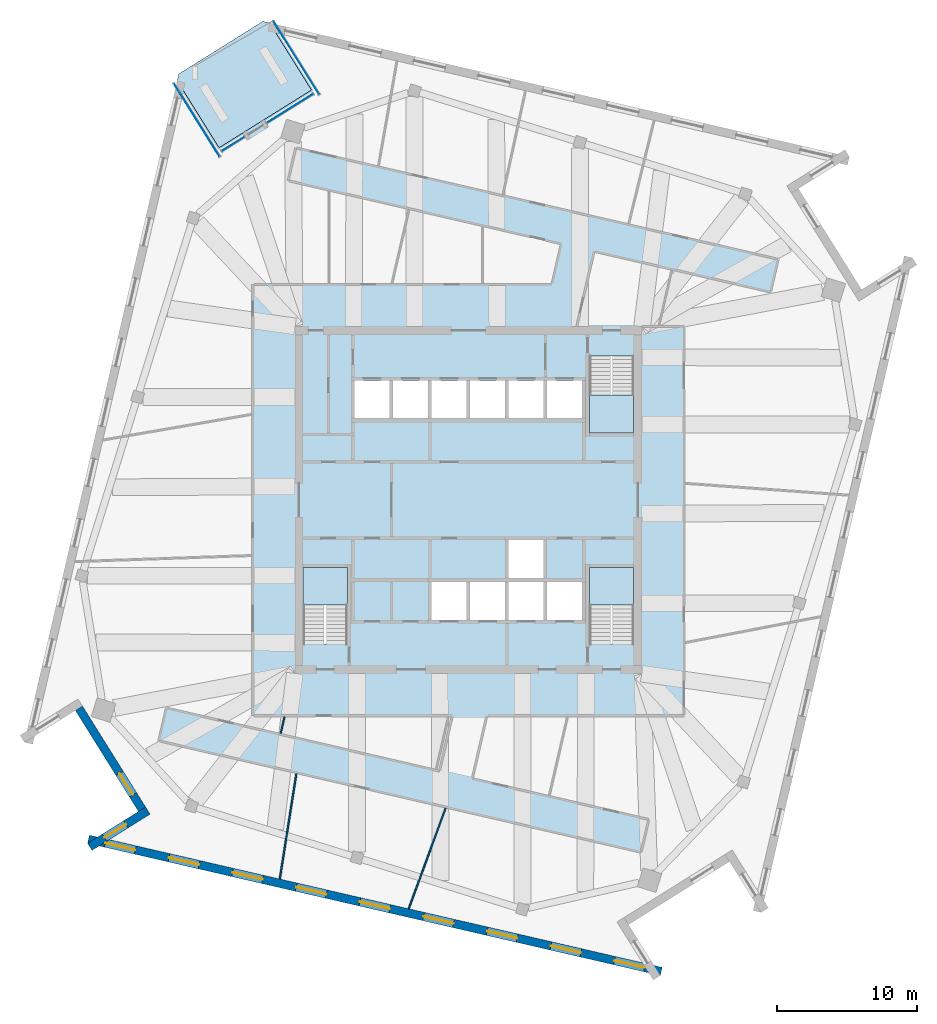
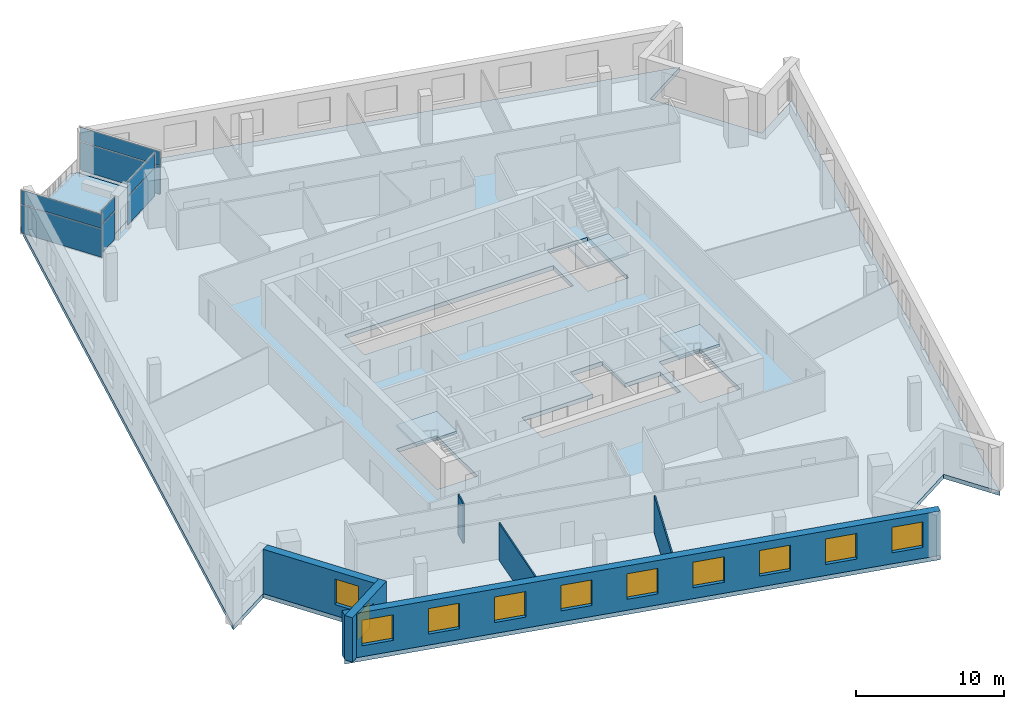
# One storey, part 5 of 14: 11 windows, 8 plates, 6 walls, 5 slabs, 11 openings, 7 elements without a shape of their own.
"""IFC4 building model written with IfcOpenShell, lengths in metres."""

from ifc_helpers import new_model, si_unit, direction, frame, frame_2d, origin, origin_2d, place, context, subcontext, project, spatial, polyline, rectangle, outline, extrude, material, layer, layer_set, type_object, element, fill, aggregate, save


model = new_model("IFC4")

# Units and contexts
model_context = context("Model", 3, precision=1e-05, world=origin(), true_north=direction((0.0, 1.0)))
body_context = subcontext(model_context, "Body", "Model", "MODEL_VIEW")
ifc_project = project(units=[si_unit("LENGTHUNIT", "METRE"), si_unit("AREAUNIT", "SQUARE_METRE"), si_unit("VOLUMEUNIT", "CUBIC_METRE"), si_unit("PLANEANGLEUNIT", "RADIAN"), si_unit("MASSUNIT", "GRAM", prefix="KILO")], contexts=[model_context])

# Site, building, storey
site_placement = place(None, origin())
site = spatial("IfcSite", under=ifc_project, at=site_placement, CompositionType="ELEMENT")
building_placement = place(site_placement, origin())
building = spatial("IfcBuilding", under=site, at=building_placement, Name="Dilmun Exchange Tower", CompositionType="ELEMENT")
storey_placement = place(building_placement, frame((0.0, 0.0, 340.5)))
storey = spatial("IfcBuildingStorey", under=building, at=storey_placement, Name="L81", CompositionType="ELEMENT", Elevation=340.5)

# Stair, slab
ifc_material_1 = material(Name="Concrete C40/50", Category="concrete")
stair_type = type_object("IfcStairType", Name="Exit stair 1500 half-turn", PredefinedType="HALF_TURN_STAIR", material=ifc_material_1)
stair_1_placement = place(storey_placement, origin())
stair_1 = element("IfcStair", 1, at=stair_1_placement, inside=storey, type_object=stair_type, Name="L81 Protected exit stair ST1", PredefinedType="HALF_TURN_STAIR")
ifc_layer_1 = layer(ifc_material_1, 0.199951171875)
ifc_layer_set_1 = layer_set([ifc_layer_1], Name="Concrete C40/50")
slab_type_1 = type_object("IfcSlabType", Name="Exit stair landing 200", PredefinedType="LANDING", material=ifc_layer_set_1)
slab_1_placement = place(storey_placement, frame((0.0, 0.0, 1.800048828125)))
slab_1 = element("IfcSlab", 2, at=slab_1_placement, type_object=slab_type_1, Name="ST1 landing 1", PredefinedType="LANDING", context=body_context, shape_type="SweptSolid", body=[
    extrude(outline(polyline([(8.64990234375, 7.5), (8.64990234375, 4.800048828125), (11.800048828125, 4.800048828125), (11.800048828125, 7.5), (8.64990234375, 7.5)])), origin(), (0.0, 0.0, 1.0), 0.199951171875),
])
aggregate(stair_1, [slab_1])

stair_2_placement = place(storey_placement, origin())
stair_2 = element("IfcStair", 3, at=stair_2_placement, inside=storey, type_object=stair_type, Name="L81 Protected exit stair ST2", PredefinedType="HALF_TURN_STAIR")
slab_2_placement = place(storey_placement, frame((0.0, 0.0, 1.800048828125)))
slab_2 = element("IfcSlab", 4, at=slab_2_placement, type_object=slab_type_1, Name="ST2 landing 1", PredefinedType="LANDING", context=body_context, shape_type="SweptSolid", body=[
    extrude(outline(polyline([(-8.64990234375, -7.5), (-8.64990234375, -4.800048828125), (-11.800048828125, -4.800048828125), (-11.800048828125, -7.5), (-8.64990234375, -7.5)])), origin(), (0.0, 0.0, 1.0), 0.199951171875),
])
aggregate(stair_2, [slab_2])

stair_3_placement = place(storey_placement, origin())
stair_3 = element("IfcStair", 5, at=stair_3_placement, inside=storey, type_object=stair_type, Name="L81 Protected exit stair ST3", PredefinedType="HALF_TURN_STAIR")
slab_3_placement = place(storey_placement, frame((0.0, 0.0, 1.800048828125)))
slab_3 = element("IfcSlab", 6, at=slab_3_placement, type_object=slab_type_1, Name="ST3 landing 1", PredefinedType="LANDING", context=body_context, shape_type="SweptSolid", body=[
    extrude(outline(polyline([(11.800048828125, -7.5), (11.800048828125, -4.800048828125), (8.64990234375, -4.800048828125), (8.64990234375, -7.5), (11.800048828125, -7.5)])), origin(), (0.0, 0.0, 1.0), 0.199951171875),
])
aggregate(stair_3, [slab_3])

# Curtain wall, plates
ifc_material_2 = material(Name="Anodised aluminium and clear glass", Category="aluminium")
curtain_wall_type = type_object("IfcCurtainWallType", Name="Garden corner glazing", PredefinedType="NOTDEFINED", material=ifc_material_2)
curtain_wall_1_placement = place(storey_placement, origin())
curtain_wall_1 = element("IfcCurtainWall", 7, at=curtain_wall_1_placement, inside=storey, type_object=curtain_wall_type, Name="Garden corner glazing run GC1.1", PredefinedType="NOTDEFINED")
ifc_material_3 = material(Name="Clear glass", Category="glass")
ifc_layer_2 = layer(ifc_material_3, 0.028076171875)
ifc_layer_set_2 = layer_set([ifc_layer_2], Name="Clear glass")
plate_type = type_object("IfcPlateType", Name="Garden corner glazing glass panel 28", PredefinedType="CURTAIN_PANEL", material=ifc_layer_set_2)
plate_1_placement = place(storey_placement, frame((-12.291015625, 31.577880859375, 0.06005859375), z_axis=(0.0, 0.0, 1.0), x_axis=(0.529916913426, -0.8480495651, 0.0)))
plate_1 = element("IfcPlate", 8, at=plate_1_placement, type_object=plate_type, Name="GC1.1 panel 1.1", PredefinedType="CURTAIN_PANEL", context=body_context, shape_type="SweptSolid", body=[
    extrude(rectangle(XDim=6.12646484375, YDim=0.028076171875, at=origin_2d()), origin(), (0.0, 0.0, 1.0), 2.31005859375),
])
plate_2_placement = place(storey_placement, frame((-12.291015625, 31.577880859375, 2.43017578125), z_axis=(0.0, 0.0, 1.0), x_axis=(0.529916913426, -0.8480495651, 0.0)))
plate_2 = element("IfcPlate", 9, at=plate_2_placement, type_object=plate_type, Name="GC1.1 panel 1.2", PredefinedType="CURTAIN_PANEL", context=body_context, shape_type="SweptSolid", body=[
    extrude(rectangle(XDim=6.12646484375, YDim=0.028076171875, at=origin_2d()), origin(), (0.0, 0.0, 1.0), 1.159912109375),
])
aggregate(curtain_wall_1, [plate_1, plate_2])

curtain_wall_2_placement = place(storey_placement, origin())
curtain_wall_2 = element("IfcCurtainWall", 10, at=curtain_wall_2_placement, inside=storey, type_object=curtain_wall_type, Name="Garden corner glazing run GC2.1", PredefinedType="NOTDEFINED")
plate_3_placement = place(storey_placement, frame((-12.74072265625, 27.9677734375, 0.06005859375), z_axis=(0.0, 0.0, 1.0), x_axis=(-0.848044776187, -0.529924577258, 0.0)))
plate_3 = element("IfcPlate", 11, at=plate_3_placement, type_object=plate_type, Name="GC2.1 panel 1.1", PredefinedType="CURTAIN_PANEL", context=body_context, shape_type="SweptSolid", body=[
    extrude(rectangle(XDim=3.869140625, YDim=0.028076171875, at=origin_2d()), origin(), (0.0, 0.0, 1.0), 2.31005859375),
])
plate_4_placement = place(storey_placement, frame((-12.74072265625, 27.9677734375, 2.43017578125), z_axis=(0.0, 0.0, 1.0), x_axis=(-0.848044776187, -0.529924577258, 0.0)))
plate_4 = element("IfcPlate", 12, at=plate_4_placement, type_object=plate_type, Name="GC2.1 panel 1.2", PredefinedType="CURTAIN_PANEL", context=body_context, shape_type="SweptSolid", body=[
    extrude(rectangle(XDim=3.869140625, YDim=0.028076171875, at=origin_2d()), origin(), (0.0, 0.0, 1.0), 1.159912109375),
])
aggregate(curtain_wall_2, [plate_3, plate_4])

curtain_wall_3_placement = place(storey_placement, origin())
curtain_wall_3 = element("IfcCurtainWall", 13, at=curtain_wall_3_placement, inside=storey, type_object=curtain_wall_type, Name="Garden corner glazing run GC2.3", PredefinedType="NOTDEFINED")
plate_5_placement = place(storey_placement, frame((-16.80224609375, 25.429931640625, 0.06005859375), z_axis=(0.0, 0.0, 1.0), x_axis=(-0.848068905763, -0.529885960447, 0.0)))
plate_5 = element("IfcPlate", 14, at=plate_5_placement, type_object=plate_type, Name="GC2.3 panel 1.1", PredefinedType="CURTAIN_PANEL", context=body_context, shape_type="SweptSolid", body=[
    extrude(rectangle(XDim=1.869140625, YDim=0.028076171875, at=origin_2d()), origin(), (0.0, 0.0, 1.0), 2.31005859375),
])
plate_6_placement = place(storey_placement, frame((-16.80224609375, 25.429931640625, 2.43017578125), z_axis=(0.0, 0.0, 1.0), x_axis=(-0.848068905763, -0.529885960447, 0.0)))
plate_6 = element("IfcPlate", 15, at=plate_6_placement, type_object=plate_type, Name="GC2.3 panel 1.2", PredefinedType="CURTAIN_PANEL", context=body_context, shape_type="SweptSolid", body=[
    extrude(rectangle(XDim=1.869140625, YDim=0.028076171875, at=origin_2d()), origin(), (0.0, 0.0, 1.0), 1.159912109375),
])
aggregate(curtain_wall_3, [plate_5, plate_6])

curtain_wall_4_placement = place(storey_placement, origin())
curtain_wall_4 = element("IfcCurtainWall", 16, at=curtain_wall_4_placement, inside=storey, type_object=curtain_wall_type, Name="Garden corner glazing run GC3.1", PredefinedType="NOTDEFINED")
plate_7_placement = place(storey_placement, frame((-19.39599609375, 27.13818359375, 0.06005859375), z_axis=(0.0, 0.0, 1.0), x_axis=(-0.529916913426, 0.8480495651, 0.0)))
plate_7 = element("IfcPlate", 17, at=plate_7_placement, type_object=plate_type, Name="GC3.1 panel 1.1", PredefinedType="CURTAIN_PANEL", context=body_context, shape_type="SweptSolid", body=[
    extrude(rectangle(XDim=6.12646484375, YDim=0.028076171875, at=origin_2d()), origin(), (0.0, 0.0, 1.0), 2.31005859375),
])
plate_8_placement = place(storey_placement, frame((-19.39599609375, 27.13818359375, 2.43017578125), z_axis=(0.0, 0.0, 1.0), x_axis=(-0.529916913426, 0.8480495651, 0.0)))
plate_8 = element("IfcPlate", 18, at=plate_8_placement, type_object=plate_type, Name="GC3.1 panel 1.2", PredefinedType="CURTAIN_PANEL", context=body_context, shape_type="SweptSolid", body=[
    extrude(rectangle(XDim=6.12646484375, YDim=0.028076171875, at=origin_2d()), origin(), (0.0, 0.0, 1.0), 1.159912109375),
])
aggregate(curtain_wall_4, [plate_7, plate_8])

# Slabs
ifc_layer_3 = layer(ifc_material_1, 0.35009765625)
ifc_layer_set_3 = layer_set([ifc_layer_3], Name="Concrete C40/50")
slab_type_2 = type_object("IfcSlabType", Name="RC floor slab 350", PredefinedType="FLOOR", material=ifc_layer_set_3)
slab_4_placement = place(storey_placement, frame((0.0, 0.0, -0.35009765625)))
element("IfcSlab", 19, at=slab_4_placement, inside=storey, type_object=slab_type_2, Name="Floor slab", PredefinedType="FLOOR", context=body_context, shape_type="SweptSolid", body=[
    extrude(outline(polyline([(23.56591796875, 22.238525390625), (28.070068359375, 15.030029296875), (31.70458984375, 17.301025390625), (20.91162109375, -29.448486328125), (18.640380859375, -25.814208984375), (11.43212890625, -30.318359375), (13.703125, -33.95263671875), (-27.2001953125, -24.509521484375), (-23.56591796875, -22.238525390625), (-28.070068359375, -15.030029296875), (-31.70458984375, -17.301025390625), (-20.796630859375, 29.94580078125), (-17.804443359375, 25.1572265625), (-11.208251953125, 29.279052734375), (-14.200439453125, 34.0673828125), (27.2001953125, 24.509521484375), (23.56591796875, 22.238525390625)]), holes=[polyline([(-8.64990234375, -4.800048828125), (-11.800048828125, -4.800048828125), (-11.800048828125, -10.294921875), (-8.64990234375, -10.294921875), (-8.64990234375, -4.800048828125)]), polyline([(11.800048828125, -4.800048828125), (8.64990234375, -4.800048828125), (8.64990234375, -10.294921875), (11.800048828125, -10.294921875), (11.800048828125, -4.800048828125)]), polyline([(2.875, -5.85009765625), (-2.625, -5.85009765625), (-2.625, -8.550048828125), (8.125, -8.550048828125), (8.125, -5.85009765625), (5.375, -5.85009765625), (5.375, -2.85009765625), (2.875, -2.85009765625), (2.875, -5.85009765625)]), polyline([(8.125, 5.85009765625), (8.125, 8.550048828125), (-8.125, 8.550048828125), (-8.125, 5.85009765625), (8.125, 5.85009765625)]), polyline([(8.64990234375, 10.294921875), (8.64990234375, 4.800048828125), (11.800048828125, 4.800048828125), (11.800048828125, 10.294921875), (8.64990234375, 10.294921875)])]), origin(), (0.0, 0.0, 1.0), 0.35009765625),
])
ifc_layer_4 = layer(ifc_material_1, 0.300048828125)
ifc_layer_set_4 = layer_set([ifc_layer_4], Name="Concrete C40/50")
slab_type_3 = type_object("IfcSlabType", Name="RC garden terrace slab 300", PredefinedType="FLOOR", material=ifc_layer_set_4)
slab_5_placement = place(storey_placement, frame((0.0, 0.0, -0.300048828125)))
element("IfcSlab", 20, at=slab_5_placement, inside=storey, type_object=slab_type_3, Name="Garden terrace slab", PredefinedType="FLOOR", context=body_context, shape_type="SweptSolid", body=[
    extrude(outline(polyline([(-17.804443359375, 25.1572265625), (-20.796630859375, 29.94580078125), (-20.68408203125, 30.432861328125), (-14.6875, 34.179931640625), (-14.200439453125, 34.0673828125), (-11.208251953125, 29.279052734375), (-17.804443359375, 25.1572265625)])), origin(), (0.0, 0.0, 1.0), 0.300048828125),
])

# Walls
ifc_material_4 = material(Name="Partition 100")
ifc_layer_5 = layer(ifc_material_4, 0.10009765625)
ifc_layer_set_5 = layer_set([ifc_layer_5], Name="Partition 100")
wall_type_1 = type_object("IfcWallType", Name="Partition 100", PredefinedType="PARTITIONING", material=ifc_layer_set_5)
wall_1_placement = place(storey_placement, frame((-13.47119140625, -27.061279296875, 0.0), z_axis=(0.0, 0.0, 1.0), x_axis=(0.155249458532, 0.987875298621, 0.0)))
element("IfcWall", 21, at=wall_1_placement, inside=storey, type_object=wall_type_1, Name="Partition", PredefinedType="PARTITIONING", context=body_context, shape_type="SweptSolid", body=[
    extrude(rectangle(XDim=7.61279296875, YDim=0.10009765625, at=frame_2d((3.806396484375, 0.0))), origin(), (0.0, 0.0, 1.0), 3.050048828125),
])
wall_2_placement = place(storey_placement, frame((-13.408203125, -16.661865234375, 0.0), z_axis=(0.0, 0.0, 1.0), x_axis=(0.22478562249, 0.974408242946, 0.0)))
element("IfcWall", 22, at=wall_2_placement, inside=storey, type_object=wall_type_1, Name="Partition", PredefinedType="PARTITIONING", context=body_context, shape_type="SweptSolid", body=[
    extrude(rectangle(XDim=1.20654296875, YDim=0.10009765625, at=frame_2d((0.603271484375, 0.0))), origin(), (0.0, 0.0, 1.0), 3.25),
])
wall_3_placement = place(storey_placement, frame((-4.267822265625, -29.18603515625, 0.0), z_axis=(0.0, 0.0, 1.0), x_axis=(0.345023473148, 0.938594056543, 0.0)))
element("IfcWall", 23, at=wall_3_placement, inside=storey, type_object=wall_type_1, Name="Partition", PredefinedType="PARTITIONING", context=body_context, shape_type="SweptSolid", body=[
    extrude(rectangle(XDim=7.64990234375, YDim=0.10009765625, at=frame_2d((3.824951171875, 0.0))), origin(), (0.0, 0.0, 1.0), 3.050048828125),
])

# Wall, opening, window
ifc_material_5 = material(Name="Precast concrete C50/60", Category="concrete")
ifc_layer_6 = layer(ifc_material_5, 0.60009765625)
ifc_layer_set_6 = layer_set([ifc_layer_6], Name="Precast concrete C50/60")
wall_type_2 = type_object("IfcWallType", Name="Precast stone-clad wall 600", PredefinedType="STANDARD", material=ifc_layer_set_6)
wall_4_placement = place(storey_placement, frame((-27.815673828125, -14.87109375, 0.0), z_axis=(0.0, 0.0, 1.0), x_axis=(0.529921485123, -0.848046708387, 0.0)))
wall_4 = element("IfcWall", 24, at=wall_4_placement, inside=storey, type_object=wall_type_2, Name="Facade wall L81-05", PredefinedType="STANDARD", context=body_context, shape_type="SweptSolid", body=[
    extrude(rectangle(XDim=8.5, YDim=0.60009765625, at=frame_2d((4.25, 0.0))), origin(), (0.0, 0.0, 1.0), 3.64990234375),
])
opening_1_placement = place(wall_4_placement, frame((5.47509765625, 0.0, 0.89990234375)))
opening_1 = element("IfcOpeningElement", 25, at=opening_1_placement, cuts=wall_4, Name="Opening W180-210", PredefinedType="OPENING", context=body_context, shape_type="SweptSolid", body=[
    extrude(rectangle(XDim=1.800048828125, YDim=2.10009765625, at=frame_2d((0.89990234375, 1.050048828125))), frame((0.0, 0.31005859375, 0.0), z_axis=(0.0, -1.0, 0.0), x_axis=(1.0, 0.0, 0.0)), (0.0, 0.0, 1.0), 0.6201171875),
])
ifc_material_6 = material(Name="Clear low-emissivity glass in aluminium frame", Category="aluminium")
window_type_1 = type_object("IfcWindowType", Name="Punched window 1800 x 2100", PartitioningType="DOUBLE_PANEL_VERTICAL", PredefinedType="WINDOW", material=ifc_material_6)
window_1_placement = place(opening_1_placement, origin())
window_1 = element("IfcWindow", 26, at=window_1_placement, inside=storey, type_object=window_type_1, Name="Window 6.2", OverallHeight=2.10009765625, OverallWidth=1.800048828125, PartitioningType="SINGLE_PANEL", PredefinedType="WINDOW", context=body_context, shape_type="SweptSolid", body=[
    extrude(rectangle(XDim=1.800048828125, YDim=2.10009765625, at=frame_2d((0.89990234375, 1.050048828125))), frame((0.0, 0.030029296875, 0.0), z_axis=(0.0, -1.0, 0.0), x_axis=(1.0, 0.0, 0.0)), (0.0, 0.0, 1.0), 0.06005859375),
])
fill(opening_1, window_1)

wall_5_placement = place(storey_placement, frame((-22.89794921875, -22.1748046875, 0.0), z_axis=(0.0, 0.0, 1.0), x_axis=(-0.848040410856, -0.529931563086, 0.0)))
wall_5 = element("IfcWall", 27, at=wall_5_placement, inside=storey, type_object=wall_type_2, Name="Facade wall L81-06", PredefinedType="STANDARD", context=body_context, shape_type="SweptSolid", body=[
    extrude(rectangle(XDim=4.8857421875, YDim=0.60009765625, at=frame_2d((2.44287109375, 0.0))), origin(), (0.0, 0.0, 1.0), 3.64990234375),
])
opening_2_placement = place(wall_5_placement, frame((1.8427734375, 0.0, 0.89990234375)))
opening_2 = element("IfcOpeningElement", 28, at=opening_2_placement, cuts=wall_5, Name="Opening W180-210", PredefinedType="OPENING", context=body_context, shape_type="SweptSolid", body=[
    extrude(rectangle(XDim=1.800048828125, YDim=2.10009765625, at=frame_2d((0.89990234375, 1.050048828125))), frame((0.0, 0.31005859375, 0.0), z_axis=(0.0, -1.0, 0.0), x_axis=(1.0, 0.0, 0.0)), (0.0, 0.0, 1.0), 0.6201171875),
])
window_2_placement = place(opening_2_placement, origin())
window_2 = element("IfcWindow", 29, at=window_2_placement, inside=storey, type_object=window_type_1, Name="Window 7.1", OverallHeight=2.10009765625, OverallWidth=1.800048828125, PartitioningType="SINGLE_PANEL", PredefinedType="WINDOW", context=body_context, shape_type="SweptSolid", body=[
    extrude(rectangle(XDim=1.800048828125, YDim=2.10009765625, at=frame_2d((0.89990234375, 1.050048828125))), frame((0.0, 0.030029296875, 0.0), z_axis=(0.0, -1.0, 0.0), x_axis=(1.0, 0.0, 0.0)), (0.0, 0.0, 1.0), 0.06005859375),
])
fill(opening_2, window_2)

# Wall, openings, windows
wall_6_placement = place(storey_placement, frame((-27.1328125, -24.21728515625, 0.0), z_axis=(0.0, 0.0, 1.0), x_axis=(0.974370901945, -0.224947428174, 0.0)))
wall_6 = element("IfcWall", 30, at=wall_6_placement, inside=storey, type_object=wall_type_2, Name="Facade wall L81-07", PredefinedType="STANDARD", context=body_context, shape_type="SweptSolid", body=[
    extrude(rectangle(XDim=41.979248046875, YDim=0.60009765625, at=frame_2d((20.98974609375, 0.0))), origin(), (0.0, 0.0, 1.0), 3.64990234375),
])
opening_3_placement = place(wall_6_placement, frame((1.232177734375, 0.0, 0.89990234375)))
opening_3 = element("IfcOpeningElement", 31, at=opening_3_placement, cuts=wall_6, Name="Opening W220-210", PredefinedType="OPENING", context=body_context, shape_type="SweptSolid", body=[
    extrude(rectangle(XDim=2.199951171875, YDim=2.10009765625, at=frame_2d((1.10009765625, 1.050048828125))), frame((0.0, 0.31005859375, 0.0), z_axis=(0.0, -1.0, 0.0), x_axis=(1.0, 0.0, 0.0)), (0.0, 0.0, 1.0), 0.6201171875),
])
opening_4_placement = place(wall_6_placement, frame((5.896484375, 0.0, 0.89990234375)))
opening_4 = element("IfcOpeningElement", 32, at=opening_4_placement, cuts=wall_6, Name="Opening W220-210", PredefinedType="OPENING", context=body_context, shape_type="SweptSolid", body=[
    extrude(rectangle(XDim=2.199951171875, YDim=2.10009765625, at=frame_2d((1.10009765625, 1.050048828125))), frame((0.0, 0.31005859375, 0.0), z_axis=(0.0, -1.0, 0.0), x_axis=(1.0, 0.0, 0.0)), (0.0, 0.0, 1.0), 0.6201171875),
])
opening_5_placement = place(wall_6_placement, frame((10.560791015625, 0.0, 0.89990234375)))
opening_5 = element("IfcOpeningElement", 33, at=opening_5_placement, cuts=wall_6, Name="Opening W220-210", PredefinedType="OPENING", context=body_context, shape_type="SweptSolid", body=[
    extrude(rectangle(XDim=2.199951171875, YDim=2.10009765625, at=frame_2d((1.10009765625, 1.050048828125))), frame((0.0, 0.31005859375, 0.0), z_axis=(0.0, -1.0, 0.0), x_axis=(1.0, 0.0, 0.0)), (0.0, 0.0, 1.0), 0.6201171875),
])
opening_6_placement = place(wall_6_placement, frame((15.22509765625, 0.0, 0.89990234375)))
opening_6 = element("IfcOpeningElement", 34, at=opening_6_placement, cuts=wall_6, Name="Opening W220-210", PredefinedType="OPENING", context=body_context, shape_type="SweptSolid", body=[
    extrude(rectangle(XDim=2.199951171875, YDim=2.10009765625, at=frame_2d((1.10009765625, 1.050048828125))), frame((0.0, 0.31005859375, 0.0), z_axis=(0.0, -1.0, 0.0), x_axis=(1.0, 0.0, 0.0)), (0.0, 0.0, 1.0), 0.6201171875),
])
opening_7_placement = place(wall_6_placement, frame((19.8896484375, 0.0, 0.89990234375)))
opening_7 = element("IfcOpeningElement", 35, at=opening_7_placement, cuts=wall_6, Name="Opening W220-210", PredefinedType="OPENING", context=body_context, shape_type="SweptSolid", body=[
    extrude(rectangle(XDim=2.199951171875, YDim=2.10009765625, at=frame_2d((1.10009765625, 1.050048828125))), frame((0.0, 0.31005859375, 0.0), z_axis=(0.0, -1.0, 0.0), x_axis=(1.0, 0.0, 0.0)), (0.0, 0.0, 1.0), 0.6201171875),
])
opening_8_placement = place(wall_6_placement, frame((24.553955078125, 0.0, 0.89990234375)))
opening_8 = element("IfcOpeningElement", 36, at=opening_8_placement, cuts=wall_6, Name="Opening W220-210", PredefinedType="OPENING", context=body_context, shape_type="SweptSolid", body=[
    extrude(rectangle(XDim=2.199951171875, YDim=2.10009765625, at=frame_2d((1.10009765625, 1.050048828125))), frame((0.0, 0.31005859375, 0.0), z_axis=(0.0, -1.0, 0.0), x_axis=(1.0, 0.0, 0.0)), (0.0, 0.0, 1.0), 0.6201171875),
])
opening_9_placement = place(wall_6_placement, frame((29.21826171875, 0.0, 0.89990234375)))
opening_9 = element("IfcOpeningElement", 37, at=opening_9_placement, cuts=wall_6, Name="Opening W220-210", PredefinedType="OPENING", context=body_context, shape_type="SweptSolid", body=[
    extrude(rectangle(XDim=2.199951171875, YDim=2.10009765625, at=frame_2d((1.10009765625, 1.050048828125))), frame((0.0, 0.31005859375, 0.0), z_axis=(0.0, -1.0, 0.0), x_axis=(1.0, 0.0, 0.0)), (0.0, 0.0, 1.0), 0.6201171875),
])
opening_10_placement = place(wall_6_placement, frame((33.8828125, 0.0, 0.89990234375)))
opening_10 = element("IfcOpeningElement", 38, at=opening_10_placement, cuts=wall_6, Name="Opening W220-210", PredefinedType="OPENING", context=body_context, shape_type="SweptSolid", body=[
    extrude(rectangle(XDim=2.199951171875, YDim=2.10009765625, at=frame_2d((1.10009765625, 1.050048828125))), frame((0.0, 0.31005859375, 0.0), z_axis=(0.0, -1.0, 0.0), x_axis=(1.0, 0.0, 0.0)), (0.0, 0.0, 1.0), 0.6201171875),
])
opening_11_placement = place(wall_6_placement, frame((38.547119140625, 0.0, 0.89990234375)))
opening_11 = element("IfcOpeningElement", 39, at=opening_11_placement, cuts=wall_6, Name="Opening W220-210", PredefinedType="OPENING", context=body_context, shape_type="SweptSolid", body=[
    extrude(rectangle(XDim=2.199951171875, YDim=2.10009765625, at=frame_2d((1.10009765625, 1.050048828125))), frame((0.0, 0.31005859375, 0.0), z_axis=(0.0, -1.0, 0.0), x_axis=(1.0, 0.0, 0.0)), (0.0, 0.0, 1.0), 0.6201171875),
])
window_type_2 = type_object("IfcWindowType", Name="Punched window 2200 x 2100", PartitioningType="DOUBLE_PANEL_VERTICAL", PredefinedType="WINDOW", material=ifc_material_6)
window_3_placement = place(opening_3_placement, origin())
window_3 = element("IfcWindow", 40, at=window_3_placement, inside=storey, type_object=window_type_2, Name="Window 8.1", OverallHeight=2.10009765625, OverallWidth=2.199951171875, PartitioningType="SINGLE_PANEL", PredefinedType="WINDOW", context=body_context, shape_type="SweptSolid", body=[
    extrude(rectangle(XDim=2.199951171875, YDim=2.10009765625, at=frame_2d((1.10009765625, 1.050048828125))), frame((0.0, 0.030029296875, 0.0), z_axis=(0.0, -1.0, 0.0), x_axis=(1.0, 0.0, 0.0)), (0.0, 0.0, 1.0), 0.06005859375),
])
fill(opening_3, window_3)
window_4_placement = place(opening_4_placement, origin())
window_4 = element("IfcWindow", 41, at=window_4_placement, inside=storey, type_object=window_type_2, Name="Window 8.2", OverallHeight=2.10009765625, OverallWidth=2.199951171875, PartitioningType="SINGLE_PANEL", PredefinedType="WINDOW", context=body_context, shape_type="SweptSolid", body=[
    extrude(rectangle(XDim=2.199951171875, YDim=2.10009765625, at=frame_2d((1.10009765625, 1.050048828125))), frame((0.0, 0.030029296875, 0.0), z_axis=(0.0, -1.0, 0.0), x_axis=(1.0, 0.0, 0.0)), (0.0, 0.0, 1.0), 0.06005859375),
])
fill(opening_4, window_4)
window_5_placement = place(opening_5_placement, origin())
window_5 = element("IfcWindow", 42, at=window_5_placement, inside=storey, type_object=window_type_2, Name="Window 8.3", OverallHeight=2.10009765625, OverallWidth=2.199951171875, PartitioningType="SINGLE_PANEL", PredefinedType="WINDOW", context=body_context, shape_type="SweptSolid", body=[
    extrude(rectangle(XDim=2.199951171875, YDim=2.10009765625, at=frame_2d((1.10009765625, 1.050048828125))), frame((0.0, 0.030029296875, 0.0), z_axis=(0.0, -1.0, 0.0), x_axis=(1.0, 0.0, 0.0)), (0.0, 0.0, 1.0), 0.06005859375),
])
fill(opening_5, window_5)
window_6_placement = place(opening_6_placement, origin())
window_6 = element("IfcWindow", 43, at=window_6_placement, inside=storey, type_object=window_type_2, Name="Window 8.4", OverallHeight=2.10009765625, OverallWidth=2.199951171875, PartitioningType="SINGLE_PANEL", PredefinedType="WINDOW", context=body_context, shape_type="SweptSolid", body=[
    extrude(rectangle(XDim=2.199951171875, YDim=2.10009765625, at=frame_2d((1.10009765625, 1.050048828125))), frame((0.0, 0.030029296875, 0.0), z_axis=(0.0, -1.0, 0.0), x_axis=(1.0, 0.0, 0.0)), (0.0, 0.0, 1.0), 0.06005859375),
])
fill(opening_6, window_6)
window_7_placement = place(opening_7_placement, origin())
window_7 = element("IfcWindow", 44, at=window_7_placement, inside=storey, type_object=window_type_2, Name="Window 8.5", OverallHeight=2.10009765625, OverallWidth=2.199951171875, PartitioningType="SINGLE_PANEL", PredefinedType="WINDOW", context=body_context, shape_type="SweptSolid", body=[
    extrude(rectangle(XDim=2.199951171875, YDim=2.10009765625, at=frame_2d((1.10009765625, 1.050048828125))), frame((0.0, 0.030029296875, 0.0), z_axis=(0.0, -1.0, 0.0), x_axis=(1.0, 0.0, 0.0)), (0.0, 0.0, 1.0), 0.06005859375),
])
fill(opening_7, window_7)
window_8_placement = place(opening_8_placement, origin())
window_8 = element("IfcWindow", 45, at=window_8_placement, inside=storey, type_object=window_type_2, Name="Window 8.6", OverallHeight=2.10009765625, OverallWidth=2.199951171875, PartitioningType="SINGLE_PANEL", PredefinedType="WINDOW", context=body_context, shape_type="SweptSolid", body=[
    extrude(rectangle(XDim=2.199951171875, YDim=2.10009765625, at=frame_2d((1.10009765625, 1.050048828125))), frame((0.0, 0.030029296875, 0.0), z_axis=(0.0, -1.0, 0.0), x_axis=(1.0, 0.0, 0.0)), (0.0, 0.0, 1.0), 0.06005859375),
])
fill(opening_8, window_8)
window_9_placement = place(opening_9_placement, origin())
window_9 = element("IfcWindow", 46, at=window_9_placement, inside=storey, type_object=window_type_2, Name="Window 8.7", OverallHeight=2.10009765625, OverallWidth=2.199951171875, PartitioningType="SINGLE_PANEL", PredefinedType="WINDOW", context=body_context, shape_type="SweptSolid", body=[
    extrude(rectangle(XDim=2.199951171875, YDim=2.10009765625, at=frame_2d((1.10009765625, 1.050048828125))), frame((0.0, 0.030029296875, 0.0), z_axis=(0.0, -1.0, 0.0), x_axis=(1.0, 0.0, 0.0)), (0.0, 0.0, 1.0), 0.06005859375),
])
fill(opening_9, window_9)
window_10_placement = place(opening_10_placement, origin())
window_10 = element("IfcWindow", 47, at=window_10_placement, inside=storey, type_object=window_type_2, Name="Window 8.8", OverallHeight=2.10009765625, OverallWidth=2.199951171875, PartitioningType="SINGLE_PANEL", PredefinedType="WINDOW", context=body_context, shape_type="SweptSolid", body=[
    extrude(rectangle(XDim=2.199951171875, YDim=2.10009765625, at=frame_2d((1.10009765625, 1.050048828125))), frame((0.0, 0.030029296875, 0.0), z_axis=(0.0, -1.0, 0.0), x_axis=(1.0, 0.0, 0.0)), (0.0, 0.0, 1.0), 0.06005859375),
])
fill(opening_10, window_10)
window_11_placement = place(opening_11_placement, origin())
window_11 = element("IfcWindow", 48, at=window_11_placement, inside=storey, type_object=window_type_2, Name="Window 8.9", OverallHeight=2.10009765625, OverallWidth=2.199951171875, PartitioningType="SINGLE_PANEL", PredefinedType="WINDOW", context=body_context, shape_type="SweptSolid", body=[
    extrude(rectangle(XDim=2.199951171875, YDim=2.10009765625, at=frame_2d((1.10009765625, 1.050048828125))), frame((0.0, 0.030029296875, 0.0), z_axis=(0.0, -1.0, 0.0), x_axis=(1.0, 0.0, 0.0)), (0.0, 0.0, 1.0), 0.06005859375),
])
fill(opening_11, window_11)

save(model, "model.ifc")
